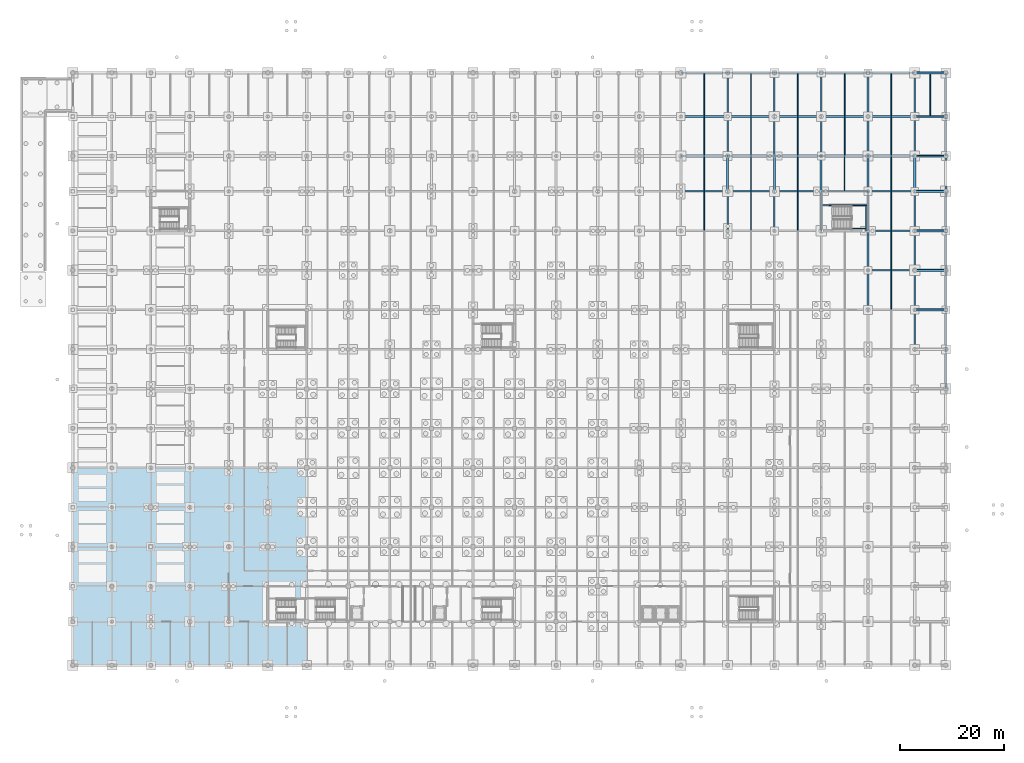
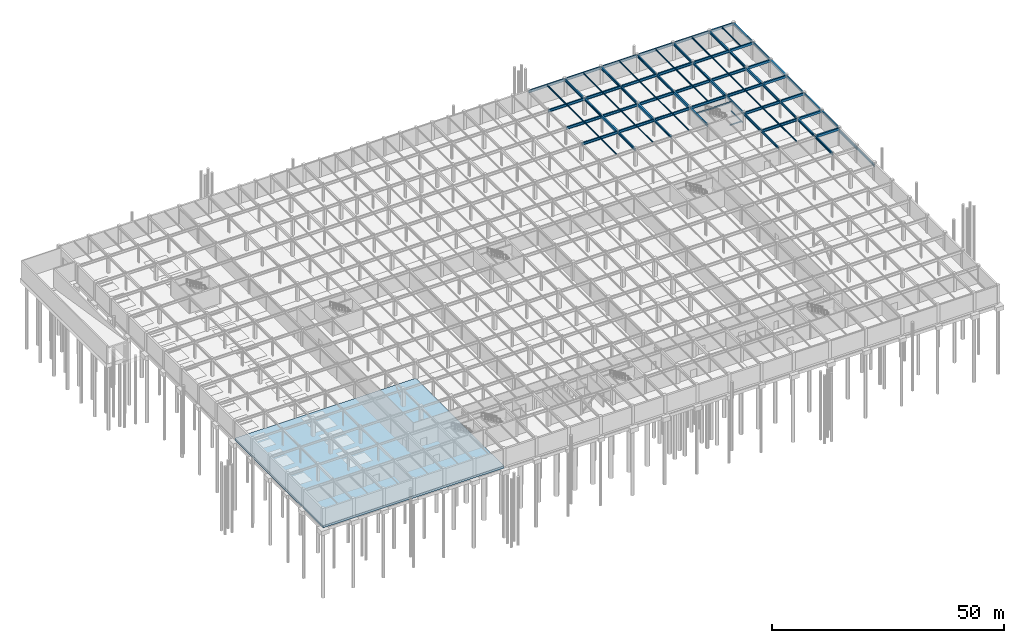
# One storey, part 37 of 53: 87 beams, 1 slab.
"""IFC4 building model written with IfcOpenShell, lengths in metres."""

from ifc_helpers import new_model, si_unit, direction, frame, origin, origin_2d, place, context, subcontext, project, spatial, polyline, rectangle, i_section, outline, extrude, material, layer, layer_set, material_profile, profile_set, type_object, element, save


model = new_model("IFC4")

# Units and contexts
model_context = context("Model", 3, precision=1e-05, world=origin(), true_north=direction((0.0, 1.0)))
body_context = subcontext(model_context, "Body", "Model", "MODEL_VIEW")
ifc_project = project(units=[si_unit("LENGTHUNIT", "METRE"), si_unit("AREAUNIT", "SQUARE_METRE"), si_unit("VOLUMEUNIT", "CUBIC_METRE"), si_unit("PLANEANGLEUNIT", "RADIAN"), si_unit("MASSUNIT", "GRAM", prefix="KILO")], contexts=[model_context])

# Site, building, storey
site_placement = place(None, origin())
site = spatial("IfcSite", under=ifc_project, at=site_placement, CompositionType="ELEMENT")
building_placement = place(site_placement, origin())
building = spatial("IfcBuilding", under=site, at=building_placement, Name="Shalkamar Park Central Library", CompositionType="ELEMENT")
storey_placement = place(building_placement, frame((0.0, 0.0, -4.800048828125)))
storey = spatial("IfcBuildingStorey", under=building, at=storey_placement, Name="B1", CompositionType="ELEMENT", Elevation=-4.800048828125)

# Beams
ifc_material_1 = material(Name="Steel S355", Category="steel")
ifc_material_profile_1 = material_profile(ifc_material_1, i_section(OverallWidth=0.10009765625, OverallDepth=0.199951171875, WebThickness=0.005615234375, FlangeThickness=0.008544921875, FilletRadius=0.011962890625, at=origin_2d()), Name="IPE 200")
ifc_profile_set_1 = profile_set([ifc_material_profile_1], Name="Steel S355")
beam_type_1 = type_object("IfcBeamType", Name="Composite Floor Joist IPE200", PredefinedType="JOIST", material=ifc_profile_set_1)
beam_1_placement = place(storey_placement, frame((272.64501953125, 323.60009765625, 2.02001953125), z_axis=(0.0, 1.0, 0.0), x_axis=(-1.0, 0.0, 0.0)))
element("IfcBeam", 1, at=beam_1_placement, inside=storey, type_object=beam_type_1, Name="Stair Half-Landing Beam ST-P6-B1-2", PredefinedType="JOIST", context=body_context, shape_type="SweptSolid", body=[
    extrude(i_section(OverallWidth=0.10009765625, OverallDepth=0.199951171875, WebThickness=0.005615234375, FlangeThickness=0.008544921875, FilletRadius=0.011962890625, at=origin_2d()), origin(), (0.0, 0.0, 1.0), 4.949951171875),
])
beam_2_placement = place(storey_placement, frame((269.824951171875, 324.02490234375, 2.02001953125), z_axis=(1.0, 0.0, 0.0), x_axis=(0.0, 1.0, 0.0)))
element("IfcBeam", 2, at=beam_2_placement, inside=storey, type_object=beam_type_1, Name="Stair Half-Landing Cross Tie ST-P6-B1-3", PredefinedType="JOIST", context=body_context, shape_type="SweptSolid", body=[
    extrude(i_section(OverallWidth=0.10009765625, OverallDepth=0.199951171875, WebThickness=0.005615234375, FlangeThickness=0.008544921875, FilletRadius=0.011962890625, at=origin_2d()), origin(), (0.0, 0.0, 1.0), 2.820068359375),
])
ifc_material_profile_2 = material_profile(ifc_material_1, i_section(OverallWidth=0.14990234375, OverallDepth=0.300048828125, WebThickness=0.007080078125, FlangeThickness=0.0107421875, FilletRadius=0.014892578125, at=origin_2d()), Name="IPE 300")
ifc_profile_set_2 = profile_set([ifc_material_profile_2], Name="Steel S355")
beam_type_2 = type_object("IfcBeamType", Name="Composite Floor Joist IPE300", PredefinedType="JOIST", material=ifc_profile_set_2)
beam_3_placement = place(storey_placement, frame((241.5, 323.748046875, 4.360107421875), z_axis=(0.0, 1.0, 0.0), x_axis=(-1.0, 0.0, 0.0)))
element("IfcBeam", 3, at=beam_3_placement, inside=storey, type_object=beam_type_2, Name="Composite Joist 16/M-1 (B1)", PredefinedType="JOIST", context=body_context, shape_type="SweptSolid", body=[
    extrude(i_section(OverallWidth=0.14990234375, OverallDepth=0.300048828125, WebThickness=0.007080078125, FlangeThickness=0.0107421875, FilletRadius=0.014892578125, at=origin_2d()), origin(), (0.0, 0.0, 1.0), 7.303955078125),
])
beam_4_placement = place(storey_placement, frame((241.5, 331.347900390625, 4.360107421875), z_axis=(0.0, 1.0, 0.0), x_axis=(-1.0, 0.0, 0.0)))
element("IfcBeam", 4, at=beam_4_placement, inside=storey, type_object=beam_type_2, Name="Composite Joist 16/N-1 (B1)", PredefinedType="JOIST", context=body_context, shape_type="SweptSolid", body=[
    extrude(i_section(OverallWidth=0.14990234375, OverallDepth=0.300048828125, WebThickness=0.007080078125, FlangeThickness=0.0107421875, FilletRadius=0.014892578125, at=origin_2d()), origin(), (0.0, 0.0, 1.0), 6.504150390625),
])
beam_5_placement = place(storey_placement, frame((250.5, 323.748046875, 4.360107421875), z_axis=(0.0, 1.0, 0.0), x_axis=(-1.0, 0.0, 0.0)))
element("IfcBeam", 5, at=beam_5_placement, inside=storey, type_object=beam_type_2, Name="Composite Joist 17/M-1 (B1)", PredefinedType="JOIST", context=body_context, shape_type="SweptSolid", body=[
    extrude(i_section(OverallWidth=0.14990234375, OverallDepth=0.300048828125, WebThickness=0.007080078125, FlangeThickness=0.0107421875, FilletRadius=0.014892578125, at=origin_2d()), origin(), (0.0, 0.0, 1.0), 7.303955078125),
])
beam_6_placement = place(storey_placement, frame((250.5, 331.347900390625, 4.360107421875), z_axis=(0.0, 1.0, 0.0), x_axis=(-1.0, 0.0, 0.0)))
element("IfcBeam", 6, at=beam_6_placement, inside=storey, type_object=beam_type_2, Name="Composite Joist 17/N-1 (B1)", PredefinedType="JOIST", context=body_context, shape_type="SweptSolid", body=[
    extrude(i_section(OverallWidth=0.14990234375, OverallDepth=0.300048828125, WebThickness=0.007080078125, FlangeThickness=0.0107421875, FilletRadius=0.014892578125, at=origin_2d()), origin(), (0.0, 0.0, 1.0), 6.504150390625),
])
beam_7_placement = place(storey_placement, frame((259.5, 323.748046875, 4.360107421875), z_axis=(0.0, 1.0, 0.0), x_axis=(-1.0, 0.0, 0.0)))
element("IfcBeam", 7, at=beam_7_placement, inside=storey, type_object=beam_type_2, Name="Composite Joist 18/M-1 (B1)", PredefinedType="JOIST", context=body_context, shape_type="SweptSolid", body=[
    extrude(i_section(OverallWidth=0.14990234375, OverallDepth=0.300048828125, WebThickness=0.007080078125, FlangeThickness=0.0107421875, FilletRadius=0.014892578125, at=origin_2d()), origin(), (0.0, 0.0, 1.0), 7.303955078125),
])
for number, where, z_axis, x_axis, name in (
    (8, (259.5, 331.347900390625, 4.360107421875), (0.0, 1.0, 0.0), (-1.0, 0.0, 0.0), "Composite Joist 18/N-1 (B1)"),
    (9, (268.5, 331.347900390625, 4.360107421875), (0.0, 1.0, 0.0), (-1.0, 0.0, 0.0), "Composite Joist 19/N-1 (B1)"),
):
    element("IfcBeam", number, at=place(storey_placement, frame(where, z_axis=z_axis, x_axis=x_axis)), inside=storey, type_object=beam_type_2, Name=name, PredefinedType="JOIST", context=body_context, shape_type="SweptSolid", body=[
        extrude(i_section(OverallWidth=0.14990234375, OverallDepth=0.300048828125, WebThickness=0.007080078125, FlangeThickness=0.0107421875, FilletRadius=0.014892578125, at=origin_2d()), origin(), (0.0, 0.0, 1.0), 6.504150390625),
    ])
beam_8_placement = place(storey_placement, frame((277.5, 323.748046875, 4.360107421875), z_axis=(0.0, 1.0, 0.0), x_axis=(-1.0, 0.0, 0.0)))
element("IfcBeam", 10, at=beam_8_placement, inside=storey, type_object=beam_type_2, Name="Composite Joist 20/M-1 (B1)", PredefinedType="JOIST", context=body_context, shape_type="SweptSolid", body=[
    extrude(i_section(OverallWidth=0.14990234375, OverallDepth=0.300048828125, WebThickness=0.007080078125, FlangeThickness=0.0107421875, FilletRadius=0.014892578125, at=origin_2d()), origin(), (0.0, 0.0, 1.0), 7.303955078125),
])
beam_9_placement = place(storey_placement, frame((277.5, 331.347900390625, 4.360107421875), z_axis=(0.0, 1.0, 0.0), x_axis=(-1.0, 0.0, 0.0)))
element("IfcBeam", 11, at=beam_9_placement, inside=storey, type_object=beam_type_2, Name="Composite Joist 20/N-1 (B1)", PredefinedType="JOIST", context=body_context, shape_type="SweptSolid", body=[
    extrude(i_section(OverallWidth=0.14990234375, OverallDepth=0.300048828125, WebThickness=0.007080078125, FlangeThickness=0.0107421875, FilletRadius=0.014892578125, at=origin_2d()), origin(), (0.0, 0.0, 1.0), 6.504150390625),
])
ifc_material_profile_3 = material_profile(ifc_material_1, i_section(OverallWidth=0.159912109375, OverallDepth=0.330078125, WebThickness=0.007568359375, FlangeThickness=0.011474609375, FilletRadius=0.01806640625, at=origin_2d()), Name="IPE 330")
ifc_profile_set_3 = profile_set([ifc_material_profile_3], Name="Steel S355")
beam_type_3 = type_object("IfcBeamType", Name="Composite Floor Joist IPE330", PredefinedType="JOIST", material=ifc_profile_set_3)
beam_10_placement = place(storey_placement, frame((241.5, 338.14794921875, 4.344970703125), z_axis=(0.0, 1.0, 0.0), x_axis=(-1.0, 0.0, 0.0)))
element("IfcBeam", 12, at=beam_10_placement, inside=storey, type_object=beam_type_3, Name="Composite Joist 16/P-1 (B1)", PredefinedType="JOIST", context=body_context, shape_type="SweptSolid", body=[
    extrude(i_section(OverallWidth=0.159912109375, OverallDepth=0.330078125, WebThickness=0.007568359375, FlangeThickness=0.011474609375, FilletRadius=0.01806640625, at=origin_2d()), origin(), (0.0, 0.0, 1.0), 7.303955078125),
])
beam_11_placement = place(storey_placement, frame((241.5, 345.748046875, 4.344970703125), z_axis=(0.0, 1.0, 0.0), x_axis=(-1.0, 0.0, 0.0)))
element("IfcBeam", 13, at=beam_11_placement, inside=storey, type_object=beam_type_3, Name="Composite Joist 16/Q-1 (B1)", PredefinedType="JOIST", context=body_context, shape_type="SweptSolid", body=[
    extrude(i_section(OverallWidth=0.159912109375, OverallDepth=0.330078125, WebThickness=0.007568359375, FlangeThickness=0.011474609375, FilletRadius=0.01806640625, at=origin_2d()), origin(), (0.0, 0.0, 1.0), 8.10400390625),
])
beam_12_placement = place(storey_placement, frame((250.5, 338.14794921875, 4.344970703125), z_axis=(0.0, 1.0, 0.0), x_axis=(-1.0, 0.0, 0.0)))
element("IfcBeam", 14, at=beam_12_placement, inside=storey, type_object=beam_type_3, Name="Composite Joist 17/P-1 (B1)", PredefinedType="JOIST", context=body_context, shape_type="SweptSolid", body=[
    extrude(i_section(OverallWidth=0.159912109375, OverallDepth=0.330078125, WebThickness=0.007568359375, FlangeThickness=0.011474609375, FilletRadius=0.01806640625, at=origin_2d()), origin(), (0.0, 0.0, 1.0), 7.303955078125),
])
beam_13_placement = place(storey_placement, frame((250.5, 345.748046875, 4.344970703125), z_axis=(0.0, 1.0, 0.0), x_axis=(-1.0, 0.0, 0.0)))
element("IfcBeam", 15, at=beam_13_placement, inside=storey, type_object=beam_type_3, Name="Composite Joist 17/Q-1 (B1)", PredefinedType="JOIST", context=body_context, shape_type="SweptSolid", body=[
    extrude(i_section(OverallWidth=0.159912109375, OverallDepth=0.330078125, WebThickness=0.007568359375, FlangeThickness=0.011474609375, FilletRadius=0.01806640625, at=origin_2d()), origin(), (0.0, 0.0, 1.0), 8.10400390625),
])
beam_14_placement = place(storey_placement, frame((259.5, 338.14794921875, 4.344970703125), z_axis=(0.0, 1.0, 0.0), x_axis=(-1.0, 0.0, 0.0)))
element("IfcBeam", 16, at=beam_14_placement, inside=storey, type_object=beam_type_3, Name="Composite Joist 18/P-1 (B1)", PredefinedType="JOIST", context=body_context, shape_type="SweptSolid", body=[
    extrude(i_section(OverallWidth=0.159912109375, OverallDepth=0.330078125, WebThickness=0.007568359375, FlangeThickness=0.011474609375, FilletRadius=0.01806640625, at=origin_2d()), origin(), (0.0, 0.0, 1.0), 7.303955078125),
])
beam_15_placement = place(storey_placement, frame((259.5, 345.748046875, 4.344970703125), z_axis=(0.0, 1.0, 0.0), x_axis=(-1.0, 0.0, 0.0)))
element("IfcBeam", 17, at=beam_15_placement, inside=storey, type_object=beam_type_3, Name="Composite Joist 18/Q-1 (B1)", PredefinedType="JOIST", context=body_context, shape_type="SweptSolid", body=[
    extrude(i_section(OverallWidth=0.159912109375, OverallDepth=0.330078125, WebThickness=0.007568359375, FlangeThickness=0.011474609375, FilletRadius=0.01806640625, at=origin_2d()), origin(), (0.0, 0.0, 1.0), 8.10400390625),
])
beam_16_placement = place(storey_placement, frame((268.5, 338.14794921875, 4.344970703125), z_axis=(0.0, 1.0, 0.0), x_axis=(-1.0, 0.0, 0.0)))
element("IfcBeam", 18, at=beam_16_placement, inside=storey, type_object=beam_type_3, Name="Composite Joist 19/P-1 (B1)", PredefinedType="JOIST", context=body_context, shape_type="SweptSolid", body=[
    extrude(i_section(OverallWidth=0.159912109375, OverallDepth=0.330078125, WebThickness=0.007568359375, FlangeThickness=0.011474609375, FilletRadius=0.01806640625, at=origin_2d()), origin(), (0.0, 0.0, 1.0), 7.303955078125),
])
beam_17_placement = place(storey_placement, frame((268.5, 345.748046875, 4.344970703125), z_axis=(0.0, 1.0, 0.0), x_axis=(-1.0, 0.0, 0.0)))
element("IfcBeam", 19, at=beam_17_placement, inside=storey, type_object=beam_type_3, Name="Composite Joist 19/Q-1 (B1)", PredefinedType="JOIST", context=body_context, shape_type="SweptSolid", body=[
    extrude(i_section(OverallWidth=0.159912109375, OverallDepth=0.330078125, WebThickness=0.007568359375, FlangeThickness=0.011474609375, FilletRadius=0.01806640625, at=origin_2d()), origin(), (0.0, 0.0, 1.0), 8.10400390625),
])
for number, where, z_axis, x_axis, name in (
    (20, (277.5, 308.548095703125, 4.344970703125), (0.0, 1.0, 0.0), (-1.0, 0.0, 0.0), "Composite Joist 20/K-1 (B1)"),
    (21, (277.5, 316.14794921875, 4.344970703125), (0.0, 1.0, 0.0), (-1.0, 0.0, 0.0), "Composite Joist 20/L-1 (B1)"),
    (22, (277.5, 338.14794921875, 4.344970703125), (0.0, 1.0, 0.0), (-1.0, 0.0, 0.0), "Composite Joist 20/P-1 (B1)"),
):
    element("IfcBeam", number, at=place(storey_placement, frame(where, z_axis=z_axis, x_axis=x_axis)), inside=storey, type_object=beam_type_3, Name=name, PredefinedType="JOIST", context=body_context, shape_type="SweptSolid", body=[
        extrude(i_section(OverallWidth=0.159912109375, OverallDepth=0.330078125, WebThickness=0.007568359375, FlangeThickness=0.011474609375, FilletRadius=0.01806640625, at=origin_2d()), origin(), (0.0, 0.0, 1.0), 7.303955078125),
    ])
beam_18_placement = place(storey_placement, frame((277.5, 345.748046875, 4.344970703125), z_axis=(0.0, 1.0, 0.0), x_axis=(-1.0, 0.0, 0.0)))
element("IfcBeam", 23, at=beam_18_placement, inside=storey, type_object=beam_type_3, Name="Composite Joist 20/Q-1 (B1)", PredefinedType="JOIST", context=body_context, shape_type="SweptSolid", body=[
    extrude(i_section(OverallWidth=0.159912109375, OverallDepth=0.330078125, WebThickness=0.007568359375, FlangeThickness=0.011474609375, FilletRadius=0.01806640625, at=origin_2d()), origin(), (0.0, 0.0, 1.0), 8.10400390625),
])
beam_19_placement = place(storey_placement, frame((285.0, 345.77294921875, 4.344970703125), z_axis=(0.0, 1.0, 0.0), x_axis=(-1.0, 0.0, 0.0)))
element("IfcBeam", 24, at=beam_19_placement, inside=storey, type_object=beam_type_3, Name="Composite Joist 21/Q-1 (B1)", PredefinedType="JOIST", context=body_context, shape_type="SweptSolid", body=[
    extrude(i_section(OverallWidth=0.159912109375, OverallDepth=0.330078125, WebThickness=0.007568359375, FlangeThickness=0.011474609375, FilletRadius=0.01806640625, at=origin_2d()), origin(), (0.0, 0.0, 1.0), 8.053955078125),
])
ifc_material_profile_4 = material_profile(ifc_material_1, i_section(OverallWidth=0.300048828125, OverallDepth=0.60009765625, WebThickness=0.015380859375, FlangeThickness=0.030029296875, FilletRadius=0.027099609375, at=origin_2d()), Name="HEB 600")
ifc_profile_set_4 = profile_set([ifc_material_profile_4], Name="Steel S355")
beam_type_4 = type_object("IfcBeamType", Name="Primary Girder HEB600", PredefinedType="BEAM", material=ifc_profile_set_4)
beam_20_placement = place(storey_placement, frame((246.0, 323.60009765625, 4.2099609375), z_axis=(0.0, 1.0, 0.0), x_axis=(-1.0, 0.0, 0.0)))
element("IfcBeam", 25, at=beam_20_placement, inside=storey, type_object=beam_type_4, Name="Beam 17:M-N (B1)", PredefinedType="BEAM", context=body_context, shape_type="SweptSolid", body=[
    extrude(i_section(OverallWidth=0.300048828125, OverallDepth=0.60009765625, WebThickness=0.015380859375, FlangeThickness=0.030029296875, FilletRadius=0.027099609375, at=origin_2d()), origin(), (0.0, 0.0, 1.0), 7.599853515625),
])
beam_21_placement = place(storey_placement, frame((246.0, 338.0, 4.2099609375), z_axis=(0.0, 1.0, 0.0), x_axis=(-1.0, 0.0, 0.0)))
element("IfcBeam", 26, at=beam_21_placement, inside=storey, type_object=beam_type_4, Name="Beam 17:P-Q (B1)", PredefinedType="BEAM", context=body_context, shape_type="SweptSolid", body=[
    extrude(i_section(OverallWidth=0.300048828125, OverallDepth=0.60009765625, WebThickness=0.015380859375, FlangeThickness=0.030029296875, FilletRadius=0.027099609375, at=origin_2d()), origin(), (0.0, 0.0, 1.0), 7.60009765625),
])
beam_22_placement = place(storey_placement, frame((255.0, 323.60009765625, 4.2099609375), z_axis=(0.0, 1.0, 0.0), x_axis=(-1.0, 0.0, 0.0)))
element("IfcBeam", 27, at=beam_22_placement, inside=storey, type_object=beam_type_4, Name="Beam 18:M-N (B1)", PredefinedType="BEAM", context=body_context, shape_type="SweptSolid", body=[
    extrude(i_section(OverallWidth=0.300048828125, OverallDepth=0.60009765625, WebThickness=0.015380859375, FlangeThickness=0.030029296875, FilletRadius=0.027099609375, at=origin_2d()), origin(), (0.0, 0.0, 1.0), 7.599853515625),
])
beam_23_placement = place(storey_placement, frame((255.0, 338.0, 4.2099609375), z_axis=(0.0, 1.0, 0.0), x_axis=(-1.0, 0.0, 0.0)))
element("IfcBeam", 28, at=beam_23_placement, inside=storey, type_object=beam_type_4, Name="Beam 18:P-Q (B1)", PredefinedType="BEAM", context=body_context, shape_type="SweptSolid", body=[
    extrude(i_section(OverallWidth=0.300048828125, OverallDepth=0.60009765625, WebThickness=0.015380859375, FlangeThickness=0.030029296875, FilletRadius=0.027099609375, at=origin_2d()), origin(), (0.0, 0.0, 1.0), 7.60009765625),
])
beam_24_placement = place(storey_placement, frame((264.0, 323.60009765625, 4.2099609375), z_axis=(0.0, 1.0, 0.0), x_axis=(-1.0, 0.0, 0.0)))
element("IfcBeam", 29, at=beam_24_placement, inside=storey, type_object=beam_type_4, Name="Beam 19:M-N (B1)", PredefinedType="BEAM", context=body_context, shape_type="SweptSolid", body=[
    extrude(i_section(OverallWidth=0.300048828125, OverallDepth=0.60009765625, WebThickness=0.015380859375, FlangeThickness=0.030029296875, FilletRadius=0.027099609375, at=origin_2d()), origin(), (0.0, 0.0, 1.0), 7.599853515625),
])
for number, where, z_axis, x_axis, name in (
    (30, (264.0, 338.0, 4.2099609375), (0.0, 1.0, 0.0), (-1.0, 0.0, 0.0), "Beam 19:P-Q (B1)"),
    (31, (273.0, 308.39990234375, 4.2099609375), (0.0, 1.0, 0.0), (-1.0, 0.0, 0.0), "Beam 20:K-L (B1)"),
    (32, (273.0, 316.0, 4.2099609375), (0.0, 1.0, 0.0), (-1.0, 0.0, 0.0), "Beam 20:L-M (B1)"),
):
    element("IfcBeam", number, at=place(storey_placement, frame(where, z_axis=z_axis, x_axis=x_axis)), inside=storey, type_object=beam_type_4, Name=name, PredefinedType="BEAM", context=body_context, shape_type="SweptSolid", body=[
        extrude(i_section(OverallWidth=0.300048828125, OverallDepth=0.60009765625, WebThickness=0.015380859375, FlangeThickness=0.030029296875, FilletRadius=0.027099609375, at=origin_2d()), origin(), (0.0, 0.0, 1.0), 7.60009765625),
    ])
beam_25_placement = place(storey_placement, frame((273.0, 323.60009765625, 4.2099609375), z_axis=(0.0, 1.0, 0.0), x_axis=(-1.0, 0.0, 0.0)))
element("IfcBeam", 33, at=beam_25_placement, inside=storey, type_object=beam_type_4, Name="Beam 20:M-N (B1)", PredefinedType="BEAM", context=body_context, shape_type="SweptSolid", body=[
    extrude(i_section(OverallWidth=0.300048828125, OverallDepth=0.60009765625, WebThickness=0.015380859375, FlangeThickness=0.030029296875, FilletRadius=0.027099609375, at=origin_2d()), origin(), (0.0, 0.0, 1.0), 7.599853515625),
])
beam_26_placement = place(storey_placement, frame((273.0, 338.0, 4.2099609375), z_axis=(0.0, 1.0, 0.0), x_axis=(-1.0, 0.0, 0.0)))
element("IfcBeam", 34, at=beam_26_placement, inside=storey, type_object=beam_type_4, Name="Beam 20:P-Q (B1)", PredefinedType="BEAM", context=body_context, shape_type="SweptSolid", body=[
    extrude(i_section(OverallWidth=0.300048828125, OverallDepth=0.60009765625, WebThickness=0.015380859375, FlangeThickness=0.030029296875, FilletRadius=0.027099609375, at=origin_2d()), origin(), (0.0, 0.0, 1.0), 7.60009765625),
])
beam_27_placement = place(storey_placement, frame((282.0, 300.800048828125, 4.2099609375), z_axis=(0.0, 1.0, 0.0), x_axis=(-1.0, 0.0, 0.0)))
element("IfcBeam", 35, at=beam_27_placement, inside=storey, type_object=beam_type_4, Name="Beam 21:J-K (B1)", PredefinedType="BEAM", context=body_context, shape_type="SweptSolid", body=[
    extrude(i_section(OverallWidth=0.300048828125, OverallDepth=0.60009765625, WebThickness=0.015380859375, FlangeThickness=0.030029296875, FilletRadius=0.027099609375, at=origin_2d()), origin(), (0.0, 0.0, 1.0), 7.599853515625),
])
for number, where, z_axis, x_axis, name in (
    (36, (282.0, 308.39990234375, 4.2099609375), (0.0, 1.0, 0.0), (-1.0, 0.0, 0.0), "Beam 21:K-L (B1)"),
    (37, (282.0, 316.0, 4.2099609375), (0.0, 1.0, 0.0), (-1.0, 0.0, 0.0), "Beam 21:L-M (B1)"),
):
    element("IfcBeam", number, at=place(storey_placement, frame(where, z_axis=z_axis, x_axis=x_axis)), inside=storey, type_object=beam_type_4, Name=name, PredefinedType="BEAM", context=body_context, shape_type="SweptSolid", body=[
        extrude(i_section(OverallWidth=0.300048828125, OverallDepth=0.60009765625, WebThickness=0.015380859375, FlangeThickness=0.030029296875, FilletRadius=0.027099609375, at=origin_2d()), origin(), (0.0, 0.0, 1.0), 7.60009765625),
    ])
beam_28_placement = place(storey_placement, frame((282.0, 323.60009765625, 4.2099609375), z_axis=(0.0, 1.0, 0.0), x_axis=(-1.0, 0.0, 0.0)))
element("IfcBeam", 38, at=beam_28_placement, inside=storey, type_object=beam_type_4, Name="Beam 21:M-N (B1)", PredefinedType="BEAM", context=body_context, shape_type="SweptSolid", body=[
    extrude(i_section(OverallWidth=0.300048828125, OverallDepth=0.60009765625, WebThickness=0.015380859375, FlangeThickness=0.030029296875, FilletRadius=0.027099609375, at=origin_2d()), origin(), (0.0, 0.0, 1.0), 7.599853515625),
])
for number, where, z_axis, x_axis, name in (
    (39, (282.0, 338.0, 4.2099609375), (0.0, 1.0, 0.0), (-1.0, 0.0, 0.0), "Beam 21:P-Q (B1)"),
    (40, (288.0, 293.199951171875, 3.699951171875), (0.0, 1.0, 0.0), (-1.0, 0.0, 0.0), "Beam 22:H-J (B1)"),
):
    element("IfcBeam", number, at=place(storey_placement, frame(where, z_axis=z_axis, x_axis=x_axis)), inside=storey, type_object=beam_type_4, Name=name, PredefinedType="BEAM", context=body_context, shape_type="SweptSolid", body=[
        extrude(i_section(OverallWidth=0.300048828125, OverallDepth=0.60009765625, WebThickness=0.015380859375, FlangeThickness=0.030029296875, FilletRadius=0.027099609375, at=origin_2d()), origin(), (0.0, 0.0, 1.0), 7.60009765625),
    ])
beam_29_placement = place(storey_placement, frame((288.0, 300.800048828125, 3.699951171875), z_axis=(0.0, 1.0, 0.0), x_axis=(-1.0, 0.0, 0.0)))
element("IfcBeam", 41, at=beam_29_placement, inside=storey, type_object=beam_type_4, Name="Beam 22:J-K (B1)", PredefinedType="BEAM", context=body_context, shape_type="SweptSolid", body=[
    extrude(i_section(OverallWidth=0.300048828125, OverallDepth=0.60009765625, WebThickness=0.015380859375, FlangeThickness=0.030029296875, FilletRadius=0.027099609375, at=origin_2d()), origin(), (0.0, 0.0, 1.0), 7.599853515625),
])
for number, where, z_axis, x_axis, name in (
    (42, (288.0, 308.39990234375, 4.2099609375), (0.0, 1.0, 0.0), (-1.0, 0.0, 0.0), "Beam 22:K-L (B1)"),
    (43, (288.0, 316.0, 4.2099609375), (0.0, 1.0, 0.0), (-1.0, 0.0, 0.0), "Beam 22:L-M (B1)"),
):
    element("IfcBeam", number, at=place(storey_placement, frame(where, z_axis=z_axis, x_axis=x_axis)), inside=storey, type_object=beam_type_4, Name=name, PredefinedType="BEAM", context=body_context, shape_type="SweptSolid", body=[
        extrude(i_section(OverallWidth=0.300048828125, OverallDepth=0.60009765625, WebThickness=0.015380859375, FlangeThickness=0.030029296875, FilletRadius=0.027099609375, at=origin_2d()), origin(), (0.0, 0.0, 1.0), 7.60009765625),
    ])
beam_30_placement = place(storey_placement, frame((288.0, 323.60009765625, 4.2099609375), z_axis=(0.0, 1.0, 0.0), x_axis=(-1.0, 0.0, 0.0)))
element("IfcBeam", 44, at=beam_30_placement, inside=storey, type_object=beam_type_4, Name="Beam 22:M-N (B1)", PredefinedType="BEAM", context=body_context, shape_type="SweptSolid", body=[
    extrude(i_section(OverallWidth=0.300048828125, OverallDepth=0.60009765625, WebThickness=0.015380859375, FlangeThickness=0.030029296875, FilletRadius=0.027099609375, at=origin_2d()), origin(), (0.0, 0.0, 1.0), 7.599853515625),
])
beam_31_placement = place(storey_placement, frame((288.0, 338.0, 4.2099609375), z_axis=(0.0, 1.0, 0.0), x_axis=(-1.0, 0.0, 0.0)))
element("IfcBeam", 45, at=beam_31_placement, inside=storey, type_object=beam_type_4, Name="Beam 22:P-Q (B1)", PredefinedType="BEAM", context=body_context, shape_type="SweptSolid", body=[
    extrude(i_section(OverallWidth=0.300048828125, OverallDepth=0.60009765625, WebThickness=0.015380859375, FlangeThickness=0.030029296875, FilletRadius=0.027099609375, at=origin_2d()), origin(), (0.0, 0.0, 1.0), 7.60009765625),
])
ifc_material_profile_5 = material_profile(ifc_material_1, i_section(OverallWidth=0.300048828125, OverallDepth=0.64990234375, WebThickness=0.01611328125, FlangeThickness=0.031005859375, FilletRadius=0.027099609375, at=origin_2d()), Name="HEB 650")
ifc_profile_set_5 = profile_set([ifc_material_profile_5], Name="Steel S355")
beam_type_5 = type_object("IfcBeamType", Name="Primary Girder HEB650", PredefinedType="BEAM", material=ifc_profile_set_5)
for number, where, z_axis, x_axis, name in (
    (46, (246.0, 345.60009765625, 4.18505859375), (0.0, 1.0, 0.0), (-1.0, 0.0, 0.0), "Beam 17:Q-R (B1)"),
    (47, (255.0, 345.60009765625, 4.18505859375), (0.0, 1.0, 0.0), (-1.0, 0.0, 0.0), "Beam 18:Q-R (B1)"),
    (48, (264.0, 345.60009765625, 4.18505859375), (0.0, 1.0, 0.0), (-1.0, 0.0, 0.0), "Beam 19:Q-R (B1)"),
    (49, (273.0, 345.60009765625, 4.18505859375), (0.0, 1.0, 0.0), (-1.0, 0.0, 0.0), "Beam 20:Q-R (B1)"),
    (50, (282.0, 345.60009765625, 4.18505859375), (0.0, 1.0, 0.0), (-1.0, 0.0, 0.0), "Beam 21:Q-R (B1)"),
    (51, (288.0, 345.60009765625, 4.18505859375), (0.0, 1.0, 0.0), (-1.0, 0.0, 0.0), "Beam 22:Q-R (B1)"),
):
    element("IfcBeam", number, at=place(storey_placement, frame(where, z_axis=z_axis, x_axis=x_axis)), inside=storey, type_object=beam_type_5, Name=name, PredefinedType="BEAM", context=body_context, shape_type="SweptSolid", body=[
        extrude(i_section(OverallWidth=0.300048828125, OverallDepth=0.64990234375, WebThickness=0.01611328125, FlangeThickness=0.031005859375, FilletRadius=0.027099609375, at=origin_2d()), origin(), (0.0, 0.0, 1.0), 8.39990234375),
    ])
ifc_material_profile_6 = material_profile(ifc_material_1, i_section(OverallWidth=0.300048828125, OverallDepth=0.699951171875, WebThickness=0.01708984375, FlangeThickness=0.031982421875, FilletRadius=0.027099609375, at=origin_2d()), Name="HEB 700")
ifc_profile_set_6 = profile_set([ifc_material_profile_6], Name="Steel S355")
beam_type_6 = type_object("IfcBeamType", Name="Primary Girder HEB700", PredefinedType="BEAM", material=ifc_profile_set_6)
for number, where, z_axis, x_axis, name in (
    (52, (273.0, 316.0, 4.16015625), (1.0, 0.0, 0.0), (0.0, 1.0, 0.0), "Beam L:20-21 (B1)"),
    (53, (273.0, 323.60009765625, 4.16015625), (1.0, 0.0, 0.0), (0.0, 1.0, 0.0), "Beam M:20-21 (B1)"),
    (54, (237.0, 331.199951171875, 4.16015625), (1.0, 0.0, 0.0), (0.0, 1.0, 0.0), "Beam N:16-17 (B1)"),
    (55, (246.0, 331.199951171875, 4.16015625), (1.0, 0.0, 0.0), (0.0, 1.0, 0.0), "Beam N:17-18 (B1)"),
    (56, (255.0, 331.199951171875, 4.16015625), (1.0, 0.0, 0.0), (0.0, 1.0, 0.0), "Beam N:18-19 (B1)"),
    (57, (264.0, 331.199951171875, 4.16015625), (1.0, 0.0, 0.0), (0.0, 1.0, 0.0), "Beam N:19-20 (B1)"),
    (58, (273.0, 331.199951171875, 4.16015625), (1.0, 0.0, 0.0), (0.0, 1.0, 0.0), "Beam N:20-21 (B1)"),
    (59, (237.0, 338.0, 4.16015625), (1.0, 0.0, 0.0), (0.0, 1.0, 0.0), "Beam P:16-17 (B1)"),
    (60, (246.0, 338.0, 4.16015625), (1.0, 0.0, 0.0), (0.0, 1.0, 0.0), "Beam P:17-18 (B1)"),
    (61, (255.0, 338.0, 4.16015625), (1.0, 0.0, 0.0), (0.0, 1.0, 0.0), "Beam P:18-19 (B1)"),
    (62, (264.0, 338.0, 4.16015625), (1.0, 0.0, 0.0), (0.0, 1.0, 0.0), "Beam P:19-20 (B1)"),
    (63, (273.0, 338.0, 4.16015625), (1.0, 0.0, 0.0), (0.0, 1.0, 0.0), "Beam P:20-21 (B1)"),
    (64, (237.0, 345.60009765625, 4.16015625), (1.0, 0.0, 0.0), (0.0, 1.0, 0.0), "Beam Q:16-17 (B1)"),
    (65, (246.0, 345.60009765625, 4.16015625), (1.0, 0.0, 0.0), (0.0, 1.0, 0.0), "Beam Q:17-18 (B1)"),
    (66, (255.0, 345.60009765625, 4.16015625), (1.0, 0.0, 0.0), (0.0, 1.0, 0.0), "Beam Q:18-19 (B1)"),
    (67, (264.0, 345.60009765625, 4.16015625), (1.0, 0.0, 0.0), (0.0, 1.0, 0.0), "Beam Q:19-20 (B1)"),
    (68, (273.0, 345.60009765625, 4.16015625), (1.0, 0.0, 0.0), (0.0, 1.0, 0.0), "Beam Q:20-21 (B1)"),
    (69, (237.0, 354.0, 4.16015625), (1.0, 0.0, 0.0), (0.0, 1.0, 0.0), "Beam R:16-17 (B1)"),
    (70, (246.0, 354.0, 4.16015625), (1.0, 0.0, 0.0), (0.0, 1.0, 0.0), "Beam R:17-18 (B1)"),
    (71, (255.0, 354.0, 4.16015625), (1.0, 0.0, 0.0), (0.0, 1.0, 0.0), "Beam R:18-19 (B1)"),
    (72, (264.0, 354.0, 4.16015625), (1.0, 0.0, 0.0), (0.0, 1.0, 0.0), "Beam R:19-20 (B1)"),
    (73, (273.0, 354.0, 4.16015625), (1.0, 0.0, 0.0), (0.0, 1.0, 0.0), "Beam R:20-21 (B1)"),
):
    element("IfcBeam", number, at=place(storey_placement, frame(where, z_axis=z_axis, x_axis=x_axis)), inside=storey, type_object=beam_type_6, Name=name, PredefinedType="BEAM", context=body_context, shape_type="SweptSolid", body=[
        extrude(i_section(OverallWidth=0.300048828125, OverallDepth=0.699951171875, WebThickness=0.01708984375, FlangeThickness=0.031982421875, FilletRadius=0.027099609375, at=origin_2d()), origin(), (0.0, 0.0, 1.0), 9.0),
    ])
ifc_material_profile_7 = material_profile(ifc_material_1, i_section(OverallWidth=0.169921875, OverallDepth=0.360107421875, WebThickness=0.008056640625, FlangeThickness=0.0126953125, FilletRadius=0.01806640625, at=origin_2d()), Name="IPE 360")
ifc_profile_set_7 = profile_set([ifc_material_profile_7], Name="Steel S355")
beam_type_7 = type_object("IfcBeamType", Name="Primary Girder IPE360", PredefinedType="BEAM", material=ifc_profile_set_7)
beam_32_placement = place(storey_placement, frame((264.087890625, 328.550048828125, 4.330078125), z_axis=(1.0, 0.0, 0.0), x_axis=(0.0, 1.0, 0.0)))
element("IfcBeam", 74, at=beam_32_placement, inside=storey, type_object=beam_type_7, Name="CORE-P6 Stairwell Divider Beam (B1)", PredefinedType="BEAM", context=body_context, shape_type="SweptSolid", body=[
    extrude(i_section(OverallWidth=0.169921875, OverallDepth=0.360107421875, WebThickness=0.008056640625, FlangeThickness=0.0126953125, FilletRadius=0.01806640625, at=origin_2d()), origin(), (0.0, 0.0, 1.0), 8.82421875),
])
ifc_material_2 = material(Name="Concrete C35/45", Category="concrete")
ifc_material_profile_8 = material_profile(ifc_material_2, rectangle(XDim=0.35009765625, YDim=0.60009765625, at=origin_2d()), Name="RC 350x600")
ifc_profile_set_8 = profile_set([ifc_material_profile_8], Name="Concrete C35/45")
beam_type_8 = type_object("IfcBeamType", Name="Substructure Plinth Beam RC350x600", PredefinedType="BEAM", material=ifc_profile_set_8)
for number, where, z_axis, x_axis, name in (
    (75, (282.0, 308.39990234375, 4.2099609375), (1.0, 0.0, 0.0), (0.0, 1.0, 0.0), "Beam K:21-22 (B1)"),
    (76, (282.0, 316.0, 4.2099609375), (1.0, 0.0, 0.0), (0.0, 1.0, 0.0), "Beam L:21-22 (B1)"),
    (77, (282.0, 323.60009765625, 4.2099609375), (1.0, 0.0, 0.0), (0.0, 1.0, 0.0), "Beam M:21-22 (B1)"),
    (78, (282.0, 331.199951171875, 4.2099609375), (1.0, 0.0, 0.0), (0.0, 1.0, 0.0), "Beam N:21-22 (B1)"),
    (79, (282.0, 338.0, 4.2099609375), (1.0, 0.0, 0.0), (0.0, 1.0, 0.0), "Beam P:21-22 (B1)"),
    (80, (282.0, 345.60009765625, 4.2099609375), (1.0, 0.0, 0.0), (0.0, 1.0, 0.0), "Beam Q:21-22 (B1)"),
    (81, (282.0, 354.0, 4.2099609375), (1.0, 0.0, 0.0), (0.0, 1.0, 0.0), "Beam R:21-22 (B1)"),
):
    element("IfcBeam", number, at=place(storey_placement, frame(where, z_axis=z_axis, x_axis=x_axis)), inside=storey, type_object=beam_type_8, Name=name, PredefinedType="BEAM", context=body_context, shape_type="SweptSolid", body=[
        extrude(rectangle(XDim=0.35009765625, YDim=0.60009765625, at=origin_2d()), origin(), (0.0, 0.0, 1.0), 6.0),
    ])
ifc_material_profile_9 = material_profile(ifc_material_2, rectangle(XDim=0.39990234375, YDim=0.699951171875, at=origin_2d()), Name="RC 400x700")
ifc_profile_set_9 = profile_set([ifc_material_profile_9], Name="Concrete C35/45")
beam_type_9 = type_object("IfcBeamType", Name="Substructure Plinth Beam RC400x700", PredefinedType="BEAM", material=ifc_profile_set_9)
for number, where, z_axis, x_axis, name in (
    (82, (246.0, 331.199951171875, 4.16015625), (0.0, 1.0, 0.0), (-1.0, 0.0, 0.0), "Beam 17:N-P (B1)"),
    (83, (255.0, 331.199951171875, 4.16015625), (0.0, 1.0, 0.0), (-1.0, 0.0, 0.0), "Beam 18:N-P (B1)"),
    (84, (264.0, 331.199951171875, 4.16015625), (0.0, 1.0, 0.0), (-1.0, 0.0, 0.0), "Beam 19:N-P (B1)"),
    (85, (273.0, 331.199951171875, 4.16015625), (0.0, 1.0, 0.0), (-1.0, 0.0, 0.0), "Beam 20:N-P (B1)"),
    (86, (282.0, 331.199951171875, 4.16015625), (0.0, 1.0, 0.0), (-1.0, 0.0, 0.0), "Beam 21:N-P (B1)"),
    (87, (288.0, 331.199951171875, 4.16015625), (0.0, 1.0, 0.0), (-1.0, 0.0, 0.0), "Beam 22:N-P (B1)"),
):
    element("IfcBeam", number, at=place(storey_placement, frame(where, z_axis=z_axis, x_axis=x_axis)), inside=storey, type_object=beam_type_9, Name=name, PredefinedType="BEAM", context=body_context, shape_type="SweptSolid", body=[
        extrude(rectangle(XDim=0.39990234375, YDim=0.699951171875, at=origin_2d()), origin(), (0.0, 0.0, 1.0), 6.800048828125),
    ])

# Slab
ifc_layer = layer(ifc_material_2, 0.60009765625)
ifc_layer_set = layer_set([ifc_layer], Name="Concrete C35/45")
slab_type = type_object("IfcSlabType", Name="Basement Base Slab 600", PredefinedType="BASESLAB", material=ifc_layer_set)
slab_placement = place(storey_placement, frame((0.0, 0.0, -0.599853515625)))
element("IfcSlab", 88, at=slab_placement, inside=storey, type_object=slab_type, Name="Basement B1 Base Slab Sector 1", PredefinedType="BASESLAB", context=body_context, shape_type="SweptSolid", body=[
    extrude(outline(polyline([(120.0, 240.0), (165.0, 240.0), (165.0, 278.0), (120.0, 278.0), (120.0, 240.0)])), origin(), (0.0, 0.0, 1.0), 0.599853515625),
])

save(model, "model.ifc")
